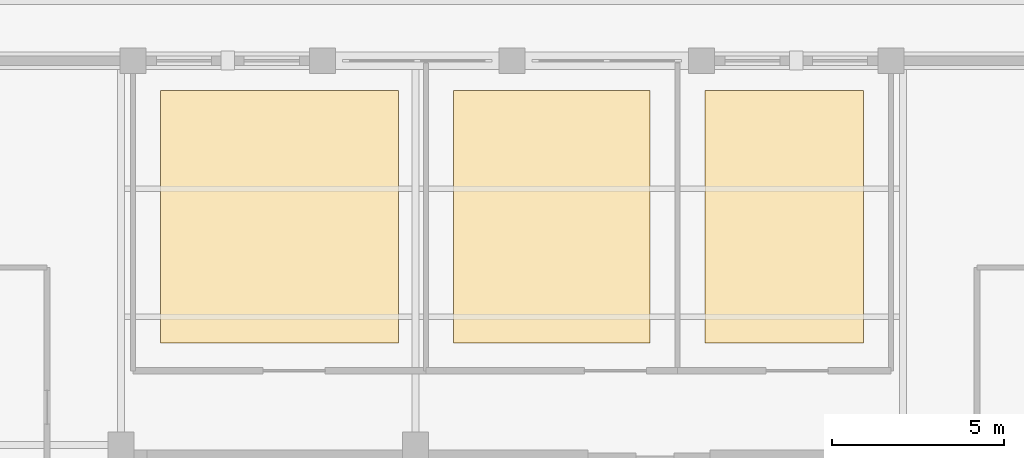
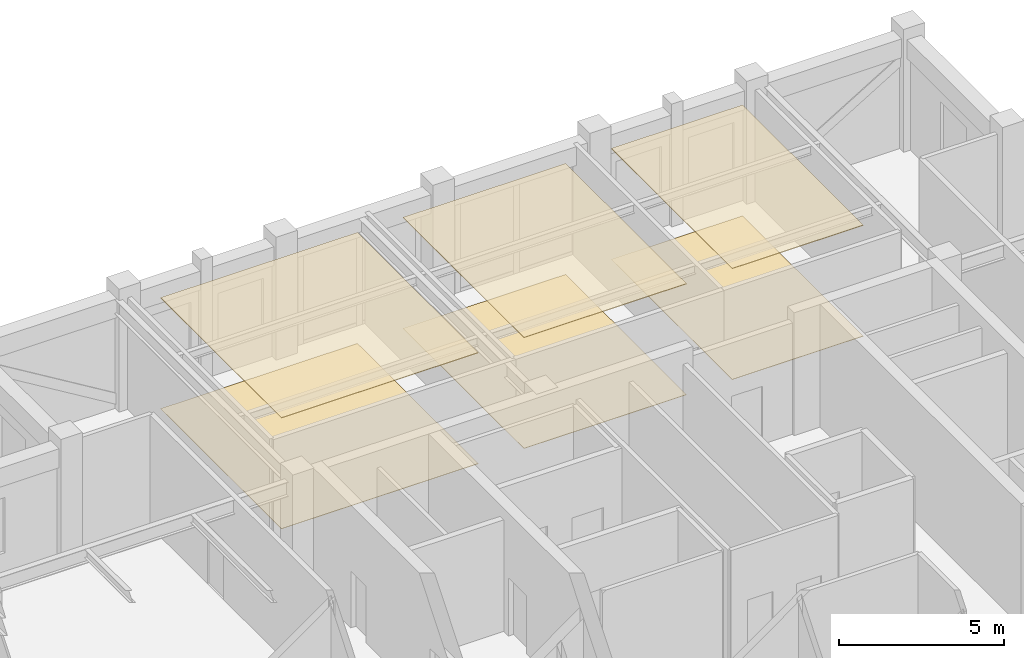
# One storey, part 13 of 13: 6 coverings.
"""IFC4 building model written with IfcOpenShell, lengths in metres."""

from ifc_helpers import new_model, si_unit, direction, frame, origin, place, context, subcontext, project, spatial, polyline, outline, extrude, material, layer, layer_set, type_object, element, save


model = new_model("IFC4")

# Units and contexts
model_context = context("Model", 3, precision=1e-05, world=origin(), true_north=direction((0.0, 1.0)))
body_context = subcontext(model_context, "Body", "Model", "MODEL_VIEW")
ifc_project = project(units=[si_unit("LENGTHUNIT", "METRE"), si_unit("AREAUNIT", "SQUARE_METRE"), si_unit("VOLUMEUNIT", "CUBIC_METRE"), si_unit("PLANEANGLEUNIT", "RADIAN"), si_unit("MASSUNIT", "GRAM", prefix="KILO")], contexts=[model_context])

# Site, building, storey
site_placement = place(None, origin())
site = spatial("IfcSite", under=ifc_project, at=site_placement, CompositionType="ELEMENT")
building_placement = place(site_placement, origin())
building = spatial("IfcBuilding", under=site, at=building_placement, Name="Nhamokura Convention Tower", CompositionType="ELEMENT")
storey_placement = place(building_placement, frame((0.0, 0.0, 257.60009765625)))
storey = spatial("IfcBuildingStorey", under=building, at=storey_placement, Name="L63", CompositionType="ELEMENT", Elevation=257.60009765625)

# Coverings
ifc_material_1 = material(Name="Mineral-fibre acoustic ceiling tile", Category="gypsum")
ifc_layer_1 = layer(ifc_material_1, 0.02490234375)
ifc_layer_set_1 = layer_set([ifc_layer_1], Name="AcousticTileCeiling_25")
covering_type_1 = type_object("IfcCoveringType", Name="AcousticTileCeiling_25", PredefinedType="CEILING", material=ifc_layer_set_1)
covering_1_placement = place(storey_placement, frame((0.0, 0.0, 4.10498046875)))
element("IfcCovering", 1, at=covering_1_placement, inside=storey, type_object=covering_type_1, Name="L63 Suspended Ceiling 03", PredefinedType="CEILING", context=body_context, shape_type="SweptSolid", body=[
    extrude(outline(polyline([(21.800048828125, 46.300048828125), (28.699951171875, 46.300048828125), (28.699951171875, 53.639892578125), (21.800048828125, 53.639892578125), (21.800048828125, 46.300048828125)])), origin(), (0.0, 0.0, 1.0), 0.02490234375),
])
covering_2_placement = place(storey_placement, frame((0.0, 0.0, 4.10498046875)))
element("IfcCovering", 2, at=covering_2_placement, inside=storey, type_object=covering_type_1, Name="L63 Suspended Ceiling 04", PredefinedType="CEILING", context=body_context, shape_type="SweptSolid", body=[
    extrude(outline(polyline([(30.300048828125, 46.300048828125), (36.0, 46.300048828125), (36.0, 53.639892578125), (30.300048828125, 53.639892578125), (30.300048828125, 46.300048828125)])), origin(), (0.0, 0.0, 1.0), 0.02490234375),
])
covering_3_placement = place(storey_placement, frame((0.0, 0.0, 4.10498046875)))
element("IfcCovering", 3, at=covering_3_placement, inside=storey, type_object=covering_type_1, Name="L63 Suspended Ceiling 05", PredefinedType="CEILING", context=body_context, shape_type="SweptSolid", body=[
    extrude(outline(polyline([(37.60009765625, 46.300048828125), (42.199951171875, 46.300048828125), (42.199951171875, 53.639892578125), (37.60009765625, 53.639892578125), (37.60009765625, 46.300048828125)])), origin(), (0.0, 0.0, 1.0), 0.02490234375),
])
ifc_material_2 = material(Name="Acoustic woven hospitality carpet", Category="wood")
ifc_layer_2 = layer(ifc_material_2, 0.014892578125)
ifc_layer_set_2 = layer_set([ifc_layer_2], Name="WovenCarpetFlooring_15")
covering_type_2 = type_object("IfcCoveringType", Name="WovenCarpetFlooring_15", PredefinedType="FLOORING", material=ifc_layer_set_2)
covering_4_placement = place(storey_placement, origin())
element("IfcCovering", 4, at=covering_4_placement, inside=storey, type_object=covering_type_2, Name="L63 Finish Flooring 03", PredefinedType="FLOORING", context=body_context, shape_type="SweptSolid", body=[
    extrude(outline(polyline([(21.800048828125, 46.300048828125), (28.699951171875, 46.300048828125), (28.699951171875, 53.639892578125), (21.800048828125, 53.639892578125), (21.800048828125, 46.300048828125)])), origin(), (0.0, 0.0, 1.0), 0.014892578125),
])
covering_5_placement = place(storey_placement, origin())
element("IfcCovering", 5, at=covering_5_placement, inside=storey, type_object=covering_type_2, Name="L63 Finish Flooring 04", PredefinedType="FLOORING", context=body_context, shape_type="SweptSolid", body=[
    extrude(outline(polyline([(30.300048828125, 46.300048828125), (36.0, 46.300048828125), (36.0, 53.639892578125), (30.300048828125, 53.639892578125), (30.300048828125, 46.300048828125)])), origin(), (0.0, 0.0, 1.0), 0.014892578125),
])
covering_6_placement = place(storey_placement, origin())
element("IfcCovering", 6, at=covering_6_placement, inside=storey, type_object=covering_type_2, Name="L63 Finish Flooring 05", PredefinedType="FLOORING", context=body_context, shape_type="SweptSolid", body=[
    extrude(outline(polyline([(37.60009765625, 46.300048828125), (42.199951171875, 46.300048828125), (42.199951171875, 53.639892578125), (37.60009765625, 53.639892578125), (37.60009765625, 46.300048828125)])), origin(), (0.0, 0.0, 1.0), 0.014892578125),
])

save(model, "model.ifc")
